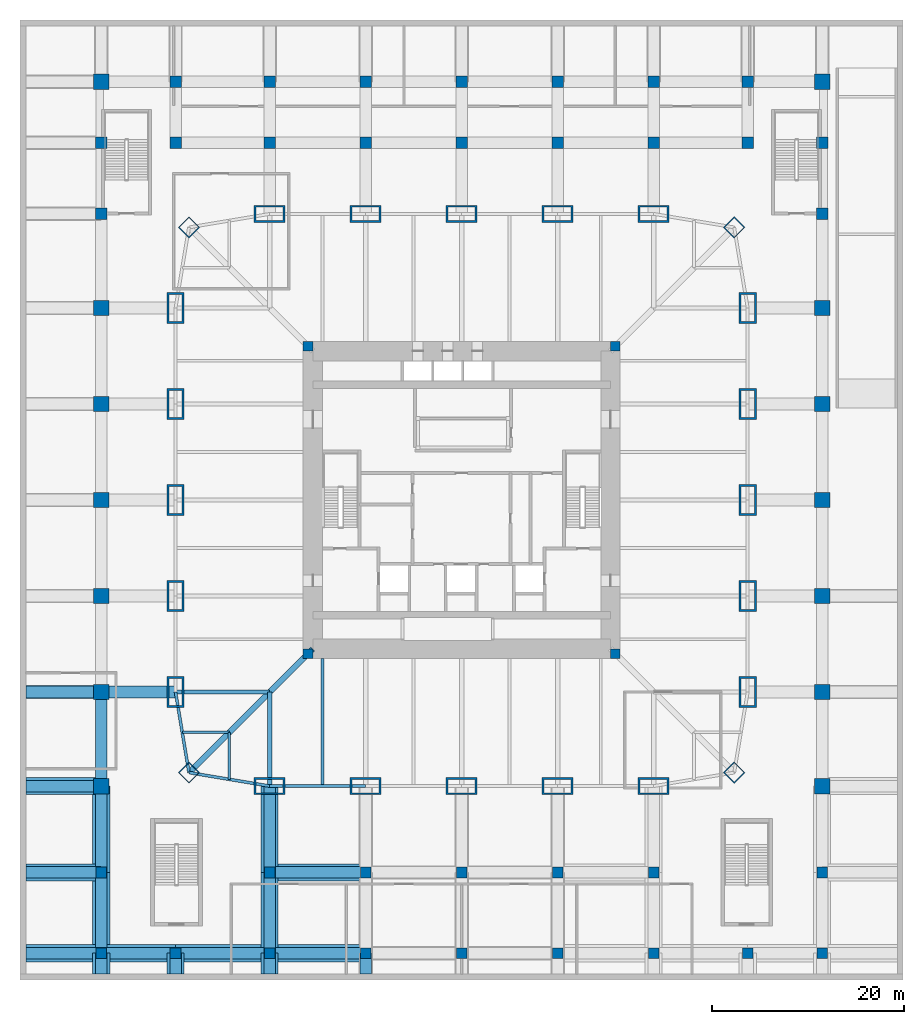
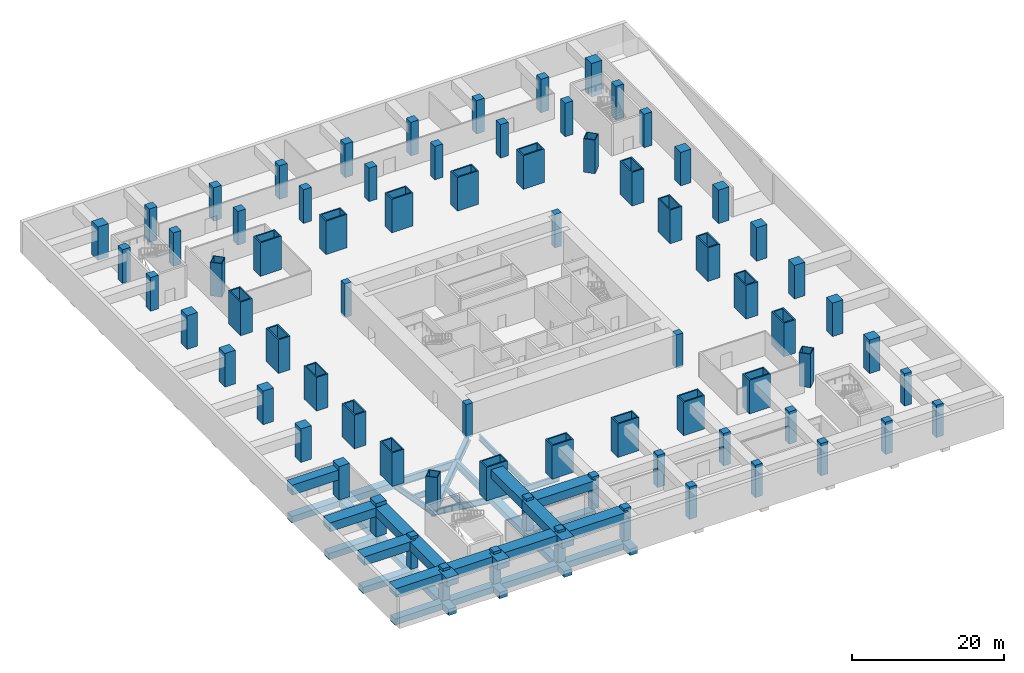
# One storey, part 1 of 12: 76 columns, 42 beams.
"""IFC4 building model written with IfcOpenShell, lengths in metres."""

from ifc_helpers import new_model, si_unit, direction, frame, origin, origin_2d, place, context, subcontext, project, spatial, rectangle, hollow_rectangle, i_section, extrude, material, material_profile, profile_set, type_object, element, save


model = new_model("IFC4")

# Units and contexts
model_context = context("Model", 3, precision=1e-05, world=origin(), true_north=direction((0.0, 1.0)))
body_context = subcontext(model_context, "Body", "Model", "MODEL_VIEW")
ifc_project = project(units=[si_unit("LENGTHUNIT", "METRE"), si_unit("AREAUNIT", "SQUARE_METRE"), si_unit("VOLUMEUNIT", "CUBIC_METRE"), si_unit("PLANEANGLEUNIT", "RADIAN"), si_unit("MASSUNIT", "GRAM", prefix="KILO")], contexts=[model_context])

# Site, building, storey
site_placement = place(None, origin())
site = spatial("IfcSite", under=ifc_project, at=site_placement, CompositionType="ELEMENT")
building_placement = place(site_placement, origin())
building = spatial("IfcBuilding", under=site, at=building_placement, Name="Khuree Lantern Residences", CompositionType="ELEMENT")
storey_placement = place(building_placement, frame((0.0, 0.0, -5.39990234375)))
storey = spatial("IfcBuildingStorey", under=building, at=storey_placement, Name="B1", CompositionType="ELEMENT", Elevation=-5.39990234375)

# Columns
ifc_material_1 = material(Name="Steel S355 CFT welded box", Category="steel")
ifc_material_profile_1 = material_profile(ifc_material_1, hollow_rectangle(XDim=1.60009765625, YDim=1.60009765625, WallThickness=0.10009765625, at=origin_2d()), Name="WELDED BOX 1600X1600X100")
ifc_profile_set_1 = profile_set([ifc_material_profile_1], Name="Steel S355 CFT welded box")
column_type_1 = type_object("IfcColumnType", Name="CC1600 PERIMETER CORNER MEGA COLUMN WELDED BOX 1600X1600X100", PredefinedType="COLUMN", material=ifc_profile_set_1)
for number, where, z_axis, x_axis, name in (
    (1, (28.39404296875, 28.39404296875, 0.0), (0.0, 0.0, 1.0), (0.707106781187, -0.707106781187, 0.0), "Perimeter column NE"),
    (2, (28.39404296875, -28.39404296875, 0.0), (0.0, 0.0, 1.0), (0.707106781187, 0.707106781187, 0.0), "Perimeter column SE"),
    (3, (-28.39404296875, -28.39404296875, 0.0), (0.0, 0.0, 1.0), (0.707106781187, -0.707106781187, 0.0), "Perimeter column SW"),
    (4, (-28.39404296875, 28.39404296875, 0.0), (0.0, 0.0, 1.0), (0.707106781187, 0.707106781187, 0.0), "Perimeter column NW"),
):
    element("IfcColumn", number, at=place(storey_placement, frame(where, z_axis=z_axis, x_axis=x_axis)), inside=storey, type_object=column_type_1, Name=name, PredefinedType="COLUMN", context=body_context, shape_type="SweptSolid", body=[
        extrude(hollow_rectangle(XDim=1.60009765625, YDim=1.60009765625, WallThickness=0.10009765625, at=origin_2d()), origin(), (0.0, 0.0, 1.0), 5.39990234375),
    ])
ifc_material_2 = material(Name="Concrete C70/85", Category="concrete")
ifc_material_profile_2 = material_profile(ifc_material_2, rectangle(XDim=1.0, YDim=1.0, at=origin_2d()), Name="RC 1000X1000")
ifc_profile_set_2 = profile_set([ifc_material_profile_2], Name="Concrete C70/85")
column_type_2 = type_object("IfcColumnType", Name="CP1000-C70 CORE CORNER PIER C70 RC 1000X1000", PredefinedType="COLUMN", material=ifc_profile_set_2)
for number, where, z_axis, x_axis, name in (
    (5, (16.0, 16.0, -0.300048828125), (0.0, 0.0, 1.0), (1.0, 0.0, 0.0), "Core corner pier NE"),
    (6, (-16.0, 16.0, -0.300048828125), (0.0, 0.0, 1.0), (1.0, 0.0, 0.0), "Core corner pier NW"),
    (7, (-16.0, -16.0, -0.300048828125), (0.0, 0.0, 1.0), (1.0, 0.0, 0.0), "Core corner pier SW"),
    (8, (16.0, -16.0, -0.300048828125), (0.0, 0.0, 1.0), (1.0, 0.0, 0.0), "Core corner pier SE"),
):
    element("IfcColumn", number, at=place(storey_placement, frame(where, z_axis=z_axis, x_axis=x_axis)), inside=storey, type_object=column_type_2, Name=name, PredefinedType="COLUMN", context=body_context, shape_type="SweptSolid", body=[
        extrude(rectangle(XDim=1.0, YDim=1.0, at=origin_2d()), origin(), (0.0, 0.0, 1.0), 5.39990234375),
    ])
ifc_material_profile_3 = material_profile(ifc_material_2, rectangle(XDim=1.199951171875, YDim=1.199951171875, at=origin_2d()), Name="RC 1200X1200")
ifc_profile_set_3 = profile_set([ifc_material_profile_3], Name="Concrete C70/85")
column_type_3 = type_object("IfcColumnType", Name="GC1 PODIUM COLUMN RC 1200X1200", PredefinedType="COLUMN", material=ifc_profile_set_3)
for number, where, z_axis, x_axis, name in (
    (9, (-37.550048828125, 29.800048828125, 0.0), (0.0, 0.0, 1.0), (1.0, 0.0, 0.0), "Column GC-29"),
    (10, (37.550048828125, 29.800048828125, 0.0), (0.0, 0.0, 1.0), (1.0, 0.0, 0.0), "Column GC-30"),
    (11, (-37.550048828125, 37.199951171875, 0.0), (0.0, 0.0, 1.0), (1.0, 0.0, 0.0), "Column GC-31"),
    (12, (-29.800048828125, 37.199951171875, 0.0), (0.0, 0.0, 1.0), (1.0, 0.0, 0.0), "Column GC-32"),
    (13, (-20.0, 37.199951171875, 0.0), (0.0, 0.0, 1.0), (1.0, 0.0, 0.0), "Column GC-33"),
    (14, (-10.0, 37.199951171875, 0.0), (0.0, 0.0, 1.0), (1.0, 0.0, 0.0), "Column GC-34"),
    (15, (0.0, 37.199951171875, 0.0), (0.0, 0.0, 1.0), (1.0, 0.0, 0.0), "Column GC-35"),
    (16, (10.0, 37.199951171875, 0.0), (0.0, 0.0, 1.0), (1.0, 0.0, 0.0), "Column GC-36"),
    (17, (20.0, 37.199951171875, 0.0), (0.0, 0.0, 1.0), (1.0, 0.0, 0.0), "Column GC-37"),
    (18, (29.800048828125, 37.199951171875, 0.0), (0.0, 0.0, 1.0), (1.0, 0.0, 0.0), "Column GC-38"),
    (19, (37.550048828125, 37.199951171875, 0.0), (0.0, 0.0, 1.0), (1.0, 0.0, 0.0), "Column GC-39"),
    (20, (-29.800048828125, 43.550048828125, 0.0), (0.0, 0.0, 1.0), (1.0, 0.0, 0.0), "Column GC-41"),
    (21, (-20.0, 43.550048828125, 0.0), (0.0, 0.0, 1.0), (1.0, 0.0, 0.0), "Column GC-42"),
    (22, (-10.0, 43.550048828125, 0.0), (0.0, 0.0, 1.0), (1.0, 0.0, 0.0), "Column GC-43"),
    (23, (0.0, 43.550048828125, 0.0), (0.0, 0.0, 1.0), (1.0, 0.0, 0.0), "Column GC-44"),
    (24, (10.0, 43.550048828125, 0.0), (0.0, 0.0, 1.0), (1.0, 0.0, 0.0), "Column GC-45"),
    (25, (20.0, 43.550048828125, 0.0), (0.0, 0.0, 1.0), (1.0, 0.0, 0.0), "Column GC-46"),
    (26, (29.800048828125, 43.550048828125, 0.0), (0.0, 0.0, 1.0), (1.0, 0.0, 0.0), "Column GC-47"),
):
    element("IfcColumn", number, at=place(storey_placement, frame(where, z_axis=z_axis, x_axis=x_axis)), inside=storey, type_object=column_type_3, Name=name, PredefinedType="COLUMN", context=body_context, shape_type="SweptSolid", body=[
        extrude(rectangle(XDim=1.199951171875, YDim=1.199951171875, at=origin_2d()), origin(), (0.0, 0.0, 1.0), 5.39990234375),
    ])
ifc_material_profile_4 = material_profile(ifc_material_2, rectangle(XDim=1.10009765625, YDim=1.10009765625, at=origin_2d()), Name="RC 1100X1100")
ifc_profile_set_4 = profile_set([ifc_material_profile_4], Name="Concrete C70/85")
column_type_4 = type_object("IfcColumnType", Name="GC2 BASEMENT COLUMN RC 1100X1100", PredefinedType="COLUMN", material=ifc_profile_set_4)
for number, where, z_axis, x_axis, name in (
    (27, (-37.550048828125, -47.199951171875, 0.0), (0.0, 0.0, 1.0), (1.0, 0.0, 0.0), "Column GC-1"),
    (28, (-29.800048828125, -47.199951171875, 0.0), (0.0, 0.0, 1.0), (1.0, 0.0, 0.0), "Column GC-2"),
    (29, (-20.0, -47.199951171875, 0.0), (0.0, 0.0, 1.0), (1.0, 0.0, 0.0), "Column GC-3"),
    (30, (-10.0, -47.199951171875, 0.0), (0.0, 0.0, 1.0), (1.0, 0.0, 0.0), "Column GC-4"),
    (31, (0.0, -47.199951171875, 0.0), (0.0, 0.0, 1.0), (1.0, 0.0, 0.0), "Column GC-5"),
    (32, (10.0, -47.199951171875, 0.0), (0.0, 0.0, 1.0), (1.0, 0.0, 0.0), "Column GC-6"),
    (33, (20.0, -47.199951171875, 0.0), (0.0, 0.0, 1.0), (1.0, 0.0, 0.0), "Column GC-7"),
    (34, (29.800048828125, -47.199951171875, 0.0), (0.0, 0.0, 1.0), (1.0, 0.0, 0.0), "Column GC-8"),
    (35, (37.550048828125, -47.199951171875, 0.0), (0.0, 0.0, 1.0), (1.0, 0.0, 0.0), "Column GC-9"),
    (36, (-37.550048828125, -38.800048828125, 0.0), (0.0, 0.0, 1.0), (1.0, 0.0, 0.0), "Column GC-10"),
    (37, (-20.0, -38.800048828125, 0.0), (0.0, 0.0, 1.0), (1.0, 0.0, 0.0), "Column GC-11"),
    (38, (-10.0, -38.800048828125, 0.0), (0.0, 0.0, 1.0), (1.0, 0.0, 0.0), "Column GC-12"),
    (39, (0.0, -38.800048828125, 0.0), (0.0, 0.0, 1.0), (1.0, 0.0, 0.0), "Column GC-13"),
    (40, (10.0, -38.800048828125, 0.0), (0.0, 0.0, 1.0), (1.0, 0.0, 0.0), "Column GC-14"),
    (41, (20.0, -38.800048828125, 0.0), (0.0, 0.0, 1.0), (1.0, 0.0, 0.0), "Column GC-15"),
    (42, (37.550048828125, -38.800048828125, 0.0), (0.0, 0.0, 1.0), (1.0, 0.0, 0.0), "Column GC-16"),
):
    element("IfcColumn", number, at=place(storey_placement, frame(where, z_axis=z_axis, x_axis=x_axis)), inside=storey, type_object=column_type_4, Name=name, PredefinedType="COLUMN", context=body_context, shape_type="SweptSolid", body=[
        extrude(rectangle(XDim=1.10009765625, YDim=1.10009765625, at=origin_2d()), origin(), (0.0, 0.0, 1.0), 5.199951171875),
    ])
ifc_material_profile_5 = material_profile(ifc_material_2, rectangle(XDim=1.60009765625, YDim=1.60009765625, at=origin_2d()), Name="RC 1600X1600")
ifc_profile_set_5 = profile_set([ifc_material_profile_5], Name="Concrete C70/85")
column_type_5 = type_object("IfcColumnType", Name="GC3 PODIUM EDGE COLUMN AT PLAZA DECK RC 1600X1600", PredefinedType="COLUMN", material=ifc_profile_set_5)
for number, where, z_axis, x_axis, name in (
    (43, (-37.550048828125, -29.800048828125, 0.0), (0.0, 0.0, 1.0), (1.0, 0.0, 0.0), "Column GC-17"),
    (44, (37.550048828125, -29.800048828125, 0.0), (0.0, 0.0, 1.0), (1.0, 0.0, 0.0), "Column GC-18"),
    (45, (-37.550048828125, -20.0, 0.0), (0.0, 0.0, 1.0), (1.0, 0.0, 0.0), "Column GC-19"),
    (46, (37.550048828125, -20.0, 0.0), (0.0, 0.0, 1.0), (1.0, 0.0, 0.0), "Column GC-20"),
    (47, (-37.550048828125, -10.0, 0.0), (0.0, 0.0, 1.0), (1.0, 0.0, 0.0), "Column GC-21"),
    (48, (37.550048828125, -10.0, 0.0), (0.0, 0.0, 1.0), (1.0, 0.0, 0.0), "Column GC-22"),
    (49, (-37.550048828125, 0.0, 0.0), (0.0, 0.0, 1.0), (1.0, 0.0, 0.0), "Column GC-23"),
    (50, (37.550048828125, 0.0, 0.0), (0.0, 0.0, 1.0), (1.0, 0.0, 0.0), "Column GC-24"),
    (51, (-37.550048828125, 10.0, 0.0), (0.0, 0.0, 1.0), (1.0, 0.0, 0.0), "Column GC-25"),
    (52, (37.550048828125, 10.0, 0.0), (0.0, 0.0, 1.0), (1.0, 0.0, 0.0), "Column GC-26"),
    (53, (-37.550048828125, 20.0, 0.0), (0.0, 0.0, 1.0), (1.0, 0.0, 0.0), "Column GC-27"),
    (54, (37.550048828125, 20.0, 0.0), (0.0, 0.0, 1.0), (1.0, 0.0, 0.0), "Column GC-28"),
    (55, (-37.550048828125, 43.550048828125, 0.0), (0.0, 0.0, 1.0), (1.0, 0.0, 0.0), "Column GC-40"),
    (56, (37.550048828125, 43.550048828125, 0.0), (0.0, 0.0, 1.0), (1.0, 0.0, 0.0), "Column GC-48"),
):
    element("IfcColumn", number, at=place(storey_placement, frame(where, z_axis=z_axis, x_axis=x_axis)), inside=storey, type_object=column_type_5, Name=name, PredefinedType="COLUMN", context=body_context, shape_type="SweptSolid", body=[
        extrude(rectangle(XDim=1.60009765625, YDim=1.60009765625, at=origin_2d()), origin(), (0.0, 0.0, 1.0), 5.39990234375),
    ])
ifc_material_profile_6 = material_profile(ifc_material_1, hollow_rectangle(XDim=3.199951171875, YDim=1.800048828125, WallThickness=0.199951171875, at=origin_2d()), Name="WELDED BOX 3200X1800X200")
ifc_profile_set_6 = profile_set([ifc_material_profile_6], Name="Steel S355 CFT welded box")
column_type_6 = type_object("IfcColumnType", Name="SC1 PERIMETER MEGA COLUMN WELDED BOX 3200X1800X200", PredefinedType="COLUMN", material=ifc_profile_set_6)
for number, where, z_axis, x_axis, name in (
    (57, (-20.0, 29.800048828125, 0.0), (0.0, 0.0, 1.0), (1.0, 0.0, 0.0), "Perimeter column N1"),
    (58, (-10.0, 29.800048828125, 0.0), (0.0, 0.0, 1.0), (1.0, 0.0, 0.0), "Perimeter column N2"),
    (59, (0.0, 29.800048828125, 0.0), (0.0, 0.0, 1.0), (1.0, 0.0, 0.0), "Perimeter column N3"),
    (60, (10.0, 29.800048828125, 0.0), (0.0, 0.0, 1.0), (1.0, 0.0, 0.0), "Perimeter column N4"),
    (61, (20.0, 29.800048828125, 0.0), (0.0, 0.0, 1.0), (1.0, 0.0, 0.0), "Perimeter column N5"),
    (62, (29.800048828125, 20.0, 0.0), (0.0, 0.0, 1.0), (0.0, 1.0, 0.0), "Perimeter column E1"),
    (63, (29.800048828125, 10.0, 0.0), (0.0, 0.0, 1.0), (0.0, 1.0, 0.0), "Perimeter column E2"),
    (64, (29.800048828125, 0.0, 0.0), (0.0, 0.0, 1.0), (0.0, 1.0, 0.0), "Perimeter column E3"),
    (65, (29.800048828125, -10.0, 0.0), (0.0, 0.0, 1.0), (0.0, 1.0, 0.0), "Perimeter column E4"),
    (66, (29.800048828125, -20.0, 0.0), (0.0, 0.0, 1.0), (0.0, 1.0, 0.0), "Perimeter column E5"),
    (67, (20.0, -29.800048828125, 0.0), (0.0, 0.0, 1.0), (1.0, 0.0, 0.0), "Perimeter column S1"),
    (68, (10.0, -29.800048828125, 0.0), (0.0, 0.0, 1.0), (1.0, 0.0, 0.0), "Perimeter column S2"),
    (69, (0.0, -29.800048828125, 0.0), (0.0, 0.0, 1.0), (1.0, 0.0, 0.0), "Perimeter column S3"),
    (70, (-10.0, -29.800048828125, 0.0), (0.0, 0.0, 1.0), (1.0, 0.0, 0.0), "Perimeter column S4"),
    (71, (-20.0, -29.800048828125, 0.0), (0.0, 0.0, 1.0), (1.0, 0.0, 0.0), "Perimeter column S5"),
    (72, (-29.800048828125, -20.0, 0.0), (0.0, 0.0, 1.0), (0.0, 1.0, 0.0), "Perimeter column W1"),
    (73, (-29.800048828125, -10.0, 0.0), (0.0, 0.0, 1.0), (0.0, 1.0, 0.0), "Perimeter column W2"),
    (74, (-29.800048828125, 0.0, 0.0), (0.0, 0.0, 1.0), (0.0, 1.0, 0.0), "Perimeter column W3"),
    (75, (-29.800048828125, 10.0, 0.0), (0.0, 0.0, 1.0), (0.0, 1.0, 0.0), "Perimeter column W4"),
    (76, (-29.800048828125, 20.0, 0.0), (0.0, 0.0, 1.0), (0.0, 1.0, 0.0), "Perimeter column W5"),
):
    element("IfcColumn", number, at=place(storey_placement, frame(where, z_axis=z_axis, x_axis=x_axis)), inside=storey, type_object=column_type_6, Name=name, PredefinedType="COLUMN", context=body_context, shape_type="SweptSolid", body=[
        extrude(hollow_rectangle(XDim=3.199951171875, YDim=1.800048828125, WallThickness=0.199951171875, at=origin_2d()), origin(), (0.0, 0.0, 1.0), 5.39990234375),
    ])

# Beams
ifc_material_3 = material(Name="Steel S355", Category="steel")
ifc_material_profile_7 = material_profile(ifc_material_3, i_section(OverallWidth=0.300048828125, OverallDepth=0.89990234375, WebThickness=0.0185546875, FlangeThickness=0.034912109375, FilletRadius=0.030029296875, at=origin_2d()), Name="HE 900 B")
ifc_profile_set_7 = profile_set([ifc_material_profile_7], Name="Steel S355")
beam_type_1 = type_object("IfcBeamType", Name="B-B1 SECONDARY BEAM HE 900 B", PredefinedType="BEAM", material=ifc_profile_set_7)
beam_1_placement = place(storey_placement, frame((-14.5, -29.800048828125, -0.75), z_axis=(0.0, 1.0, 0.0), x_axis=(-1.0, 0.0, 0.0)))
element("IfcBeam", 77, at=beam_1_placement, inside=storey, type_object=beam_type_1, Name="Secondary beam S5", PredefinedType="BEAM", context=body_context, shape_type="SweptSolid", body=[
    extrude(i_section(OverallWidth=0.300048828125, OverallDepth=0.89990234375, WebThickness=0.0185546875, FlangeThickness=0.034912109375, FilletRadius=0.030029296875, at=origin_2d()), origin(), (0.0, 0.0, 1.0), 13.300048828125),
])
for number, where, z_axis, x_axis, name in (
    (78, (-24.197021484375, -29.09716796875, -0.75), (0.0, 1.0, 0.0), (-1.0, 0.0, 0.0), "Secondary beam S6"),
    (79, (-29.09716796875, -24.197021484375, -0.75), (1.0, 0.0, 0.0), (0.0, 1.0, 0.0), "Secondary beam W1"),
):
    element("IfcBeam", number, at=place(storey_placement, frame(where, z_axis=z_axis, x_axis=x_axis)), inside=storey, type_object=beam_type_1, Name=name, PredefinedType="BEAM", context=body_context, shape_type="SweptSolid", body=[
        extrude(i_section(OverallWidth=0.300048828125, OverallDepth=0.89990234375, WebThickness=0.0185546875, FlangeThickness=0.034912109375, FilletRadius=0.030029296875, at=origin_2d()), origin(), (0.0, 0.0, 1.0), 4.900146484375),
    ])
ifc_material_profile_8 = material_profile(ifc_material_3, i_section(OverallWidth=0.300048828125, OverallDepth=1.0, WebThickness=0.01904296875, FlangeThickness=0.035888671875, FilletRadius=0.030029296875, at=origin_2d()), Name="HE 1000 B")
ifc_profile_set_8 = profile_set([ifc_material_profile_8], Name="Steel S355")
beam_type_2 = type_object("IfcBeamType", Name="E-B1 SPANDREL BEAM HE 1000 B", PredefinedType="SPANDREL", material=ifc_profile_set_8)
beam_2_placement = place(storey_placement, frame((-10.0, -29.800048828125, -0.800048828125), z_axis=(-1.0, 0.0, 0.0), x_axis=(0.0, -1.0, 0.0)))
element("IfcBeam", 80, at=beam_2_placement, inside=storey, type_object=beam_type_2, Name="Spandrel beam S5", PredefinedType="SPANDREL", context=body_context, shape_type="SweptSolid", body=[
    extrude(i_section(OverallWidth=0.300048828125, OverallDepth=1.0, WebThickness=0.01904296875, FlangeThickness=0.035888671875, FilletRadius=0.030029296875, at=origin_2d()), origin(), (0.0, 0.0, 1.0), 10.0),
])
for number, where, z_axis, x_axis, name in (
    (81, (-20.0, -29.800048828125, -0.800048828125), (-0.986260251158, 0.165199022349, 0.0), (-0.165199022349, -0.986260251158, 0.0), "Spandrel beam S6"),
    (82, (-28.39404296875, -28.39404296875, -0.800048828125), (-0.165199022349, 0.986260251158, 0.0), (-0.986260251158, -0.165199022349, 0.0), "Spandrel beam W1"),
):
    element("IfcBeam", number, at=place(storey_placement, frame(where, z_axis=z_axis, x_axis=x_axis)), inside=storey, type_object=beam_type_2, Name=name, PredefinedType="SPANDREL", context=body_context, shape_type="SweptSolid", body=[
        extrude(i_section(OverallWidth=0.300048828125, OverallDepth=1.0, WebThickness=0.01904296875, FlangeThickness=0.035888671875, FilletRadius=0.030029296875, at=origin_2d()), origin(), (0.0, 0.0, 1.0), 8.510986328125),
    ])
ifc_material_profile_9 = material_profile(ifc_material_3, i_section(OverallWidth=0.449951171875, OverallDepth=1.199951171875, WebThickness=0.02490234375, FlangeThickness=0.044921875, at=origin_2d()), Name="WELDED I 1200X450X25X45")
ifc_profile_set_9 = profile_set([ifc_material_profile_9], Name="Steel S355")
beam_type_3 = type_object("IfcBeamType", Name="G-B1 GIRDER WELDED I 1200X450X25X45", PredefinedType="BEAM", material=ifc_profile_set_9)
for number, where, z_axis, x_axis, name in (
    (83, (-20.0, -29.800048828125, -0.900146484375), (0.0, 1.0, 0.0), (-1.0, 0.0, 0.0), "Girder S5"),
    (84, (-29.800048828125, -20.0, -0.900146484375), (1.0, 0.0, 0.0), (0.0, 1.0, 0.0), "Girder W1"),
):
    element("IfcBeam", number, at=place(storey_placement, frame(where, z_axis=z_axis, x_axis=x_axis)), inside=storey, type_object=beam_type_3, Name=name, PredefinedType="BEAM", context=body_context, shape_type="SweptSolid", body=[
        extrude(i_section(OverallWidth=0.449951171875, OverallDepth=1.199951171875, WebThickness=0.02490234375, FlangeThickness=0.044921875, at=origin_2d()), origin(), (0.0, 0.0, 1.0), 9.800048828125),
    ])
ifc_material_profile_10 = material_profile(ifc_material_3, i_section(OverallWidth=0.60009765625, OverallDepth=1.199951171875, WebThickness=0.030029296875, FlangeThickness=0.06005859375, at=origin_2d()), Name="WELDED I 1200X600X30X60")
ifc_profile_set_10 = profile_set([ifc_material_profile_10], Name="Steel S355")
beam_type_4 = type_object("IfcBeamType", Name="GD-B1 CORNER GIRDER WELDED I 1200X600X30X60", PredefinedType="BEAM", material=ifc_profile_set_10)
beam_3_placement = place(storey_placement, frame((-28.39404296875, -28.39404296875, -0.900146484375), z_axis=(0.707106781187, 0.707106781187, 0.0), x_axis=(-0.707106781187, 0.707106781187, 0.0)))
element("IfcBeam", 85, at=beam_3_placement, inside=storey, type_object=beam_type_4, Name="Corner girder SW", PredefinedType="BEAM", context=body_context, shape_type="SweptSolid", body=[
    extrude(i_section(OverallWidth=0.60009765625, OverallDepth=1.199951171875, WebThickness=0.030029296875, FlangeThickness=0.06005859375, at=origin_2d()), origin(), (0.0, 0.0, 1.0), 18.23486328125),
])
ifc_material_4 = material(Name="Concrete C40/50", Category="concrete")
ifc_material_profile_11 = material_profile(ifc_material_4, rectangle(XDim=1.199951171875, YDim=1.0, at=origin_2d()), Name="RC 1200X1000")
ifc_profile_set_11 = profile_set([ifc_material_profile_11], Name="Concrete C40/50")
beam_type_5 = type_object("IfcBeamType", Name="RB1 BASEMENT BEAM RC 1200X1000", PredefinedType="BEAM", material=ifc_profile_set_11)
beam_4_placement = place(storey_placement, frame((-45.39990234375, -47.199951171875, -0.800048828125), z_axis=(1.0, 0.0, 0.0), x_axis=(0.0, 1.0, 0.0)))
element("IfcBeam", 86, at=beam_4_placement, inside=storey, type_object=beam_type_5, Name="Basement beam RB-1", PredefinedType="BEAM", context=body_context, shape_type="SweptSolid", body=[
    extrude(rectangle(XDim=1.199951171875, YDim=1.0, at=origin_2d()), origin(), (0.0, 0.0, 1.0), 7.849853515625),
])
beam_5_placement = place(storey_placement, frame((-37.550048828125, -47.199951171875, -0.800048828125), z_axis=(1.0, 0.0, 0.0), x_axis=(0.0, 1.0, 0.0)))
element("IfcBeam", 87, at=beam_5_placement, inside=storey, type_object=beam_type_5, Name="Basement beam RB-2", PredefinedType="BEAM", context=body_context, shape_type="SweptSolid", body=[
    extrude(rectangle(XDim=1.199951171875, YDim=1.0, at=origin_2d()), origin(), (0.0, 0.0, 1.0), 7.75),
])
beam_6_placement = place(storey_placement, frame((-29.800048828125, -47.199951171875, -0.800048828125), z_axis=(1.0, 0.0, 0.0), x_axis=(0.0, 1.0, 0.0)))
element("IfcBeam", 88, at=beam_6_placement, inside=storey, type_object=beam_type_5, Name="Basement beam RB-3", PredefinedType="BEAM", context=body_context, shape_type="SweptSolid", body=[
    extrude(rectangle(XDim=1.199951171875, YDim=1.0, at=origin_2d()), origin(), (0.0, 0.0, 1.0), 9.800048828125),
])
beam_7_placement = place(storey_placement, frame((-20.0, -47.199951171875, -0.800048828125), z_axis=(1.0, 0.0, 0.0), x_axis=(0.0, 1.0, 0.0)))
element("IfcBeam", 89, at=beam_7_placement, inside=storey, type_object=beam_type_5, Name="Basement beam RB-4", PredefinedType="BEAM", context=body_context, shape_type="SweptSolid", body=[
    extrude(rectangle(XDim=1.199951171875, YDim=1.0, at=origin_2d()), origin(), (0.0, 0.0, 1.0), 10.0),
])
beam_8_placement = place(storey_placement, frame((-45.39990234375, -38.800048828125, -0.800048828125), z_axis=(1.0, 0.0, 0.0), x_axis=(0.0, 1.0, 0.0)))
element("IfcBeam", 90, at=beam_8_placement, inside=storey, type_object=beam_type_5, Name="Basement beam RB-11", PredefinedType="BEAM", context=body_context, shape_type="SweptSolid", body=[
    extrude(rectangle(XDim=1.199951171875, YDim=1.0, at=origin_2d()), origin(), (0.0, 0.0, 1.0), 7.849853515625),
])
beam_9_placement = place(storey_placement, frame((-20.0, -38.800048828125, -0.800048828125), z_axis=(1.0, 0.0, 0.0), x_axis=(0.0, 1.0, 0.0)))
element("IfcBeam", 91, at=beam_9_placement, inside=storey, type_object=beam_type_5, Name="Basement beam RB-12", PredefinedType="BEAM", context=body_context, shape_type="SweptSolid", body=[
    extrude(rectangle(XDim=1.199951171875, YDim=1.0, at=origin_2d()), origin(), (0.0, 0.0, 1.0), 10.0),
])
for number, where, z_axis, x_axis, name in (
    (92, (-45.39990234375, -29.800048828125, -0.800048828125), (1.0, 0.0, 0.0), (0.0, 1.0, 0.0), "Basement beam RB-17"),
    (93, (-45.39990234375, -20.0, -0.800048828125), (1.0, 0.0, 0.0), (0.0, 1.0, 0.0), "Basement beam RB-19"),
):
    element("IfcBeam", number, at=place(storey_placement, frame(where, z_axis=z_axis, x_axis=x_axis)), inside=storey, type_object=beam_type_5, Name=name, PredefinedType="BEAM", context=body_context, shape_type="SweptSolid", body=[
        extrude(rectangle(XDim=1.199951171875, YDim=1.0, at=origin_2d()), origin(), (0.0, 0.0, 1.0), 7.849853515625),
    ])
beam_10_placement = place(storey_placement, frame((-37.550048828125, -20.0, -0.800048828125), z_axis=(1.0, 0.0, 0.0), x_axis=(0.0, 1.0, 0.0)))
element("IfcBeam", 94, at=beam_10_placement, inside=storey, type_object=beam_type_5, Name="Basement beam RB-20", PredefinedType="BEAM", context=body_context, shape_type="SweptSolid", body=[
    extrude(rectangle(XDim=1.199951171875, YDim=1.0, at=origin_2d()), origin(), (0.0, 0.0, 1.0), 7.75),
])
beam_11_placement = place(storey_placement, frame((-37.550048828125, -49.39990234375, -0.800048828125), z_axis=(0.0, 1.0, 0.0), x_axis=(-1.0, 0.0, 0.0)))
element("IfcBeam", 95, at=beam_11_placement, inside=storey, type_object=beam_type_5, Name="Basement beam RB-53", PredefinedType="BEAM", context=body_context, shape_type="SweptSolid", body=[
    extrude(rectangle(XDim=1.199951171875, YDim=1.0, at=origin_2d()), origin(), (0.0, 0.0, 1.0), 2.199951171875),
])
beam_12_placement = place(storey_placement, frame((-37.550048828125, -47.199951171875, -0.800048828125), z_axis=(0.0, 1.0, 0.0), x_axis=(-1.0, 0.0, 0.0)))
element("IfcBeam", 96, at=beam_12_placement, inside=storey, type_object=beam_type_5, Name="Basement beam RB-54", PredefinedType="BEAM", context=body_context, shape_type="SweptSolid", body=[
    extrude(rectangle(XDim=1.199951171875, YDim=1.0, at=origin_2d()), origin(), (0.0, 0.0, 1.0), 8.39990234375),
])
beam_13_placement = place(storey_placement, frame((-37.550048828125, -38.800048828125, -0.800048828125), z_axis=(0.0, 1.0, 0.0), x_axis=(-1.0, 0.0, 0.0)))
element("IfcBeam", 97, at=beam_13_placement, inside=storey, type_object=beam_type_5, Name="Basement beam RB-55", PredefinedType="BEAM", context=body_context, shape_type="SweptSolid", body=[
    extrude(rectangle(XDim=1.199951171875, YDim=1.0, at=origin_2d()), origin(), (0.0, 0.0, 1.0), 9.0),
])
beam_14_placement = place(storey_placement, frame((-37.550048828125, -29.800048828125, -0.800048828125), z_axis=(0.0, 1.0, 0.0), x_axis=(-1.0, 0.0, 0.0)))
element("IfcBeam", 98, at=beam_14_placement, inside=storey, type_object=beam_type_5, Name="Basement beam RB-56", PredefinedType="BEAM", context=body_context, shape_type="SweptSolid", body=[
    extrude(rectangle(XDim=1.199951171875, YDim=1.0, at=origin_2d()), origin(), (0.0, 0.0, 1.0), 9.800048828125),
])
for number, where, z_axis, x_axis, name in (
    (99, (-29.800048828125, -49.39990234375, -0.800048828125), (0.0, 1.0, 0.0), (-1.0, 0.0, 0.0), "Basement beam RB-65"),
    (100, (-20.0, -49.39990234375, -0.800048828125), (0.0, 1.0, 0.0), (-1.0, 0.0, 0.0), "Basement beam RB-68"),
):
    element("IfcBeam", number, at=place(storey_placement, frame(where, z_axis=z_axis, x_axis=x_axis)), inside=storey, type_object=beam_type_5, Name=name, PredefinedType="BEAM", context=body_context, shape_type="SweptSolid", body=[
        extrude(rectangle(XDim=1.199951171875, YDim=1.0, at=origin_2d()), origin(), (0.0, 0.0, 1.0), 2.199951171875),
    ])
beam_15_placement = place(storey_placement, frame((-20.0, -47.199951171875, -0.800048828125), z_axis=(0.0, 1.0, 0.0), x_axis=(-1.0, 0.0, 0.0)))
element("IfcBeam", 101, at=beam_15_placement, inside=storey, type_object=beam_type_5, Name="Basement beam RB-69", PredefinedType="BEAM", context=body_context, shape_type="SweptSolid", body=[
    extrude(rectangle(XDim=1.199951171875, YDim=1.0, at=origin_2d()), origin(), (0.0, 0.0, 1.0), 8.39990234375),
])
beam_16_placement = place(storey_placement, frame((-20.0, -38.800048828125, -0.800048828125), z_axis=(0.0, 1.0, 0.0), x_axis=(-1.0, 0.0, 0.0)))
element("IfcBeam", 102, at=beam_16_placement, inside=storey, type_object=beam_type_5, Name="Basement beam RB-70", PredefinedType="BEAM", context=body_context, shape_type="SweptSolid", body=[
    extrude(rectangle(XDim=1.199951171875, YDim=1.0, at=origin_2d()), origin(), (0.0, 0.0, 1.0), 9.0),
])
beam_17_placement = place(storey_placement, frame((-10.0, -49.39990234375, -0.800048828125), z_axis=(0.0, 1.0, 0.0), x_axis=(-1.0, 0.0, 0.0)))
element("IfcBeam", 103, at=beam_17_placement, inside=storey, type_object=beam_type_5, Name="Basement beam RB-74", PredefinedType="BEAM", context=body_context, shape_type="SweptSolid", body=[
    extrude(rectangle(XDim=1.199951171875, YDim=1.0, at=origin_2d()), origin(), (0.0, 0.0, 1.0), 2.199951171875),
])
ifc_material_profile_12 = material_profile(ifc_material_4, rectangle(XDim=1.39990234375, YDim=1.60009765625, at=origin_2d()), Name="RC 1400X1600")
ifc_profile_set_12 = profile_set([ifc_material_profile_12], Name="Concrete C40/50")
beam_type_6 = type_object("IfcBeamType", Name="RB2A PLAZA DECK BEAM RC 1400X1600", PredefinedType="BEAM", material=ifc_profile_set_12)
beam_18_placement = place(storey_placement, frame((-45.39990234375, -20.0, 4.0), z_axis=(1.0, 0.0, 0.0), x_axis=(0.0, 1.0, 0.0)))
element("IfcBeam", 104, at=beam_18_placement, inside=storey, type_object=beam_type_6, Name="Plaza deck beam DB-19", PredefinedType="BEAM", context=body_context, shape_type="SweptSolid", body=[
    extrude(rectangle(XDim=1.39990234375, YDim=1.60009765625, at=origin_2d()), origin(), (0.0, 0.0, 1.0), 7.849853515625),
])
ifc_material_profile_13 = material_profile(ifc_material_4, rectangle(XDim=1.800048828125, YDim=1.39990234375, at=origin_2d()), Name="RC 1800X1400")
ifc_profile_set_13 = profile_set([ifc_material_profile_13], Name="Concrete C40/50")
beam_type_7 = type_object("IfcBeamType", Name="RB5 PLAZA DECK BEAM AT STAIR RC 1800X1400", PredefinedType="BEAM", material=ifc_profile_set_13)
beam_19_placement = place(storey_placement, frame((-45.39990234375, -47.199951171875, 4.099853515625), z_axis=(1.0, 0.0, 0.0), x_axis=(0.0, 1.0, 0.0)))
element("IfcBeam", 105, at=beam_19_placement, inside=storey, type_object=beam_type_7, Name="Plaza deck beam at stair DB-1", PredefinedType="BEAM", context=body_context, shape_type="SweptSolid", body=[
    extrude(rectangle(XDim=1.800048828125, YDim=1.39990234375, at=origin_2d()), origin(), (0.0, 0.0, 1.0), 7.849853515625),
])
beam_20_placement = place(storey_placement, frame((-37.550048828125, -47.199951171875, 4.099853515625), z_axis=(1.0, 0.0, 0.0), x_axis=(0.0, 1.0, 0.0)))
element("IfcBeam", 106, at=beam_20_placement, inside=storey, type_object=beam_type_7, Name="Plaza deck beam at stair DB-2", PredefinedType="BEAM", context=body_context, shape_type="SweptSolid", body=[
    extrude(rectangle(XDim=1.800048828125, YDim=1.39990234375, at=origin_2d()), origin(), (0.0, 0.0, 1.0), 7.75),
])
beam_21_placement = place(storey_placement, frame((-29.800048828125, -47.199951171875, 4.099853515625), z_axis=(1.0, 0.0, 0.0), x_axis=(0.0, 1.0, 0.0)))
element("IfcBeam", 107, at=beam_21_placement, inside=storey, type_object=beam_type_7, Name="Plaza deck beam at stair DB-3", PredefinedType="BEAM", context=body_context, shape_type="SweptSolid", body=[
    extrude(rectangle(XDim=1.800048828125, YDim=1.39990234375, at=origin_2d()), origin(), (0.0, 0.0, 1.0), 9.800048828125),
])
beam_22_placement = place(storey_placement, frame((-20.0, -47.199951171875, 4.099853515625), z_axis=(1.0, 0.0, 0.0), x_axis=(0.0, 1.0, 0.0)))
element("IfcBeam", 108, at=beam_22_placement, inside=storey, type_object=beam_type_7, Name="Plaza deck beam at stair DB-4", PredefinedType="BEAM", context=body_context, shape_type="SweptSolid", body=[
    extrude(rectangle(XDim=1.800048828125, YDim=1.39990234375, at=origin_2d()), origin(), (0.0, 0.0, 1.0), 10.0),
])
beam_23_placement = place(storey_placement, frame((-45.39990234375, -38.800048828125, 4.099853515625), z_axis=(1.0, 0.0, 0.0), x_axis=(0.0, 1.0, 0.0)))
element("IfcBeam", 109, at=beam_23_placement, inside=storey, type_object=beam_type_7, Name="Plaza deck beam at stair DB-11", PredefinedType="BEAM", context=body_context, shape_type="SweptSolid", body=[
    extrude(rectangle(XDim=1.800048828125, YDim=1.39990234375, at=origin_2d()), origin(), (0.0, 0.0, 1.0), 7.849853515625),
])
beam_24_placement = place(storey_placement, frame((-20.0, -38.800048828125, 4.099853515625), z_axis=(1.0, 0.0, 0.0), x_axis=(0.0, 1.0, 0.0)))
element("IfcBeam", 110, at=beam_24_placement, inside=storey, type_object=beam_type_7, Name="Plaza deck beam at stair DB-12", PredefinedType="BEAM", context=body_context, shape_type="SweptSolid", body=[
    extrude(rectangle(XDim=1.800048828125, YDim=1.39990234375, at=origin_2d()), origin(), (0.0, 0.0, 1.0), 10.0),
])
beam_25_placement = place(storey_placement, frame((-45.39990234375, -29.800048828125, 4.099853515625), z_axis=(1.0, 0.0, 0.0), x_axis=(0.0, 1.0, 0.0)))
element("IfcBeam", 111, at=beam_25_placement, inside=storey, type_object=beam_type_7, Name="Plaza deck beam at stair DB-17", PredefinedType="BEAM", context=body_context, shape_type="SweptSolid", body=[
    extrude(rectangle(XDim=1.800048828125, YDim=1.39990234375, at=origin_2d()), origin(), (0.0, 0.0, 1.0), 7.849853515625),
])
beam_26_placement = place(storey_placement, frame((-37.550048828125, -49.39990234375, 4.099853515625), z_axis=(0.0, 1.0, 0.0), x_axis=(-1.0, 0.0, 0.0)))
element("IfcBeam", 112, at=beam_26_placement, inside=storey, type_object=beam_type_7, Name="Plaza deck beam at stair DB-53", PredefinedType="BEAM", context=body_context, shape_type="SweptSolid", body=[
    extrude(rectangle(XDim=1.800048828125, YDim=1.39990234375, at=origin_2d()), origin(), (0.0, 0.0, 1.0), 2.199951171875),
])
beam_27_placement = place(storey_placement, frame((-37.550048828125, -47.199951171875, 4.099853515625), z_axis=(0.0, 1.0, 0.0), x_axis=(-1.0, 0.0, 0.0)))
element("IfcBeam", 113, at=beam_27_placement, inside=storey, type_object=beam_type_7, Name="Plaza deck beam at stair DB-54", PredefinedType="BEAM", context=body_context, shape_type="SweptSolid", body=[
    extrude(rectangle(XDim=1.800048828125, YDim=1.39990234375, at=origin_2d()), origin(), (0.0, 0.0, 1.0), 8.39990234375),
])
beam_28_placement = place(storey_placement, frame((-37.550048828125, -38.800048828125, 4.099853515625), z_axis=(0.0, 1.0, 0.0), x_axis=(-1.0, 0.0, 0.0)))
element("IfcBeam", 114, at=beam_28_placement, inside=storey, type_object=beam_type_7, Name="Plaza deck beam at stair DB-55", PredefinedType="BEAM", context=body_context, shape_type="SweptSolid", body=[
    extrude(rectangle(XDim=1.800048828125, YDim=1.39990234375, at=origin_2d()), origin(), (0.0, 0.0, 1.0), 9.0),
])
for number, where, z_axis, x_axis, name in (
    (115, (-29.800048828125, -49.39990234375, 4.099853515625), (0.0, 1.0, 0.0), (-1.0, 0.0, 0.0), "Plaza deck beam at stair DB-65"),
    (116, (-20.0, -49.39990234375, 4.099853515625), (0.0, 1.0, 0.0), (-1.0, 0.0, 0.0), "Plaza deck beam at stair DB-68"),
):
    element("IfcBeam", number, at=place(storey_placement, frame(where, z_axis=z_axis, x_axis=x_axis)), inside=storey, type_object=beam_type_7, Name=name, PredefinedType="BEAM", context=body_context, shape_type="SweptSolid", body=[
        extrude(rectangle(XDim=1.800048828125, YDim=1.39990234375, at=origin_2d()), origin(), (0.0, 0.0, 1.0), 2.199951171875),
    ])
beam_29_placement = place(storey_placement, frame((-20.0, -47.199951171875, 4.099853515625), z_axis=(0.0, 1.0, 0.0), x_axis=(-1.0, 0.0, 0.0)))
element("IfcBeam", 117, at=beam_29_placement, inside=storey, type_object=beam_type_7, Name="Plaza deck beam at stair DB-69", PredefinedType="BEAM", context=body_context, shape_type="SweptSolid", body=[
    extrude(rectangle(XDim=1.800048828125, YDim=1.39990234375, at=origin_2d()), origin(), (0.0, 0.0, 1.0), 8.39990234375),
])
beam_30_placement = place(storey_placement, frame((-20.0, -38.800048828125, 4.099853515625), z_axis=(0.0, 1.0, 0.0), x_axis=(-1.0, 0.0, 0.0)))
element("IfcBeam", 118, at=beam_30_placement, inside=storey, type_object=beam_type_7, Name="Plaza deck beam at stair DB-70", PredefinedType="BEAM", context=body_context, shape_type="SweptSolid", body=[
    extrude(rectangle(XDim=1.800048828125, YDim=1.39990234375, at=origin_2d()), origin(), (0.0, 0.0, 1.0), 9.0),
])

save(model, "model.ifc")
